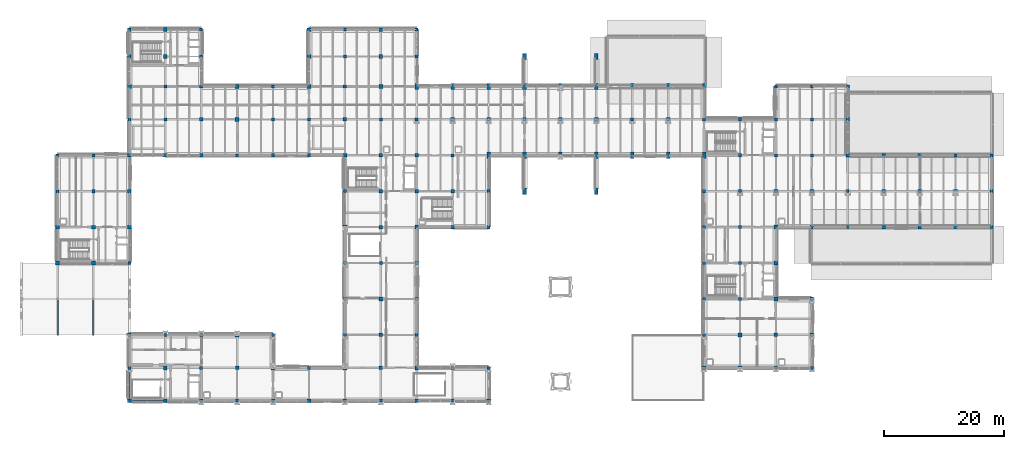
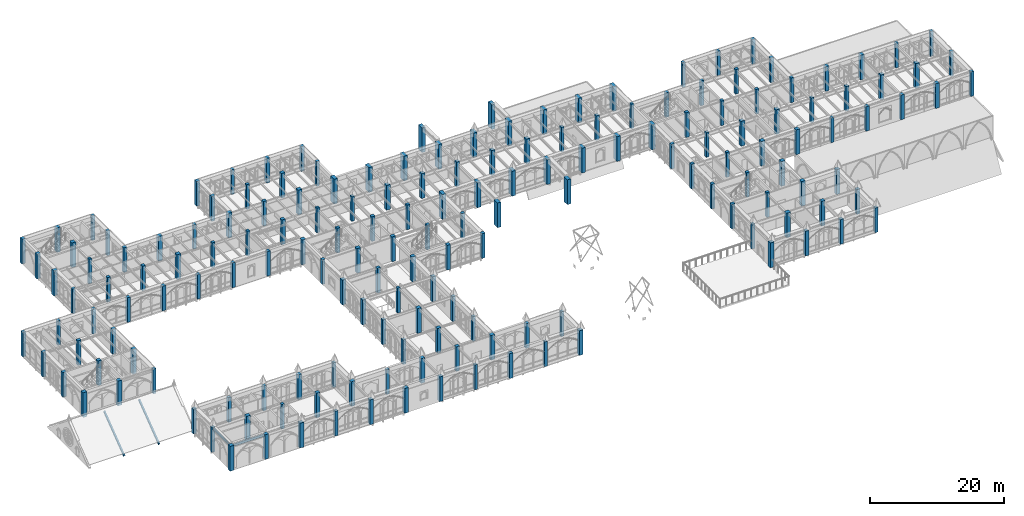
# One storey, part 1 of 143: 174 columns, 2 beams, 2 members.
"""IFC4 building model written with IfcOpenShell, lengths in metres."""

from ifc_helpers import new_model, si_unit, direction, frame, origin, origin_2d, place, context, subcontext, project, spatial, rectangle, i_section, extrude, material, material_profile, profile_set, type_object, element, save


model = new_model("IFC4")

# Units and contexts
model_context = context("Model", 3, precision=1e-05, world=origin(), true_north=direction((0.0, 1.0)))
body_context = subcontext(model_context, "Body", "Model", "MODEL_VIEW")
ifc_project = project(units=[si_unit("LENGTHUNIT", "METRE"), si_unit("AREAUNIT", "SQUARE_METRE"), si_unit("VOLUMEUNIT", "CUBIC_METRE"), si_unit("PLANEANGLEUNIT", "RADIAN"), si_unit("MASSUNIT", "GRAM", prefix="KILO")], contexts=[model_context])

# Site, building, storey
site_placement = place(None, origin())
site = spatial("IfcSite", under=ifc_project, at=site_placement, CompositionType="ELEMENT")
building_placement = place(site_placement, origin())
building = spatial("IfcBuilding", under=site, at=building_placement, Name="Cumevento Cable Car Station", CompositionType="ELEMENT")
storey_placement = place(building_placement, frame((0.0, 0.0, 9.0)))
storey = spatial("IfcBuildingStorey", under=building, at=storey_placement, Name="L03", CompositionType="ELEMENT", Elevation=9.0)

# Columns
ifc_material_1 = material(Name="Concrete C40/50", Category="concrete")
ifc_material_profile_1 = material_profile(ifc_material_1, rectangle(XDim=0.60009765625, YDim=1.050048828125, at=origin_2d()), Name="RC600x1050")
ifc_profile_set_1 = profile_set([ifc_material_profile_1], Name="Concrete C40/50")
column_type_1 = type_object("IfcColumnType", Name="Buttress Pilaster P-BT1050 RC600x1050", PredefinedType="PILASTER", material=ifc_profile_set_1)
for number, where, z_axis, x_axis, name in (
    (1, (70.0, 56.5, 0.0), (0.0, 0.0, 1.0), (1.0, 0.0, 0.0), "Column P-BT1050 L03 (70.0,56.5)"),
    (2, (76.0, 56.5, 0.0), (0.0, 0.0, 1.0), (1.0, 0.0, 0.0), "Column P-BT1050 L03 (76.0,56.5)"),
    (3, (82.0, 45.0, 0.0), (0.0, 0.0, 1.0), (1.0, 0.0, 0.0), "Column P-BT1050 L03 (82.0,45.0)"),
    (4, (82.0, 56.5, 0.0), (0.0, 0.0, 1.0), (1.0, 0.0, 0.0), "Column P-BT1050 L03 (82.0,56.5)"),
    (5, (88.0, 45.0, 0.0), (0.0, 0.0, 1.0), (1.0, 0.0, 0.0), "Column P-BT1050 L03 (88.0,45.0)"),
    (6, (88.0, 56.5, 0.0), (0.0, 0.0, 1.0), (1.0, 0.0, 0.0), "Column P-BT1050 L03 (88.0,56.5)"),
    (7, (94.0, 45.0, 0.0), (0.0, 0.0, 1.0), (1.0, 0.0, 0.0), "Column P-BT1050 L03 (94.0,45.0)"),
    (8, (94.0, 56.5, 0.0), (0.0, 0.0, 1.0), (1.0, 0.0, 0.0), "Column P-BT1050 L03 (94.0,56.5)"),
    (9, (100.0, 45.0, 0.0), (0.0, 0.0, 1.0), (1.0, 0.0, 0.0), "Column P-BT1050 L03 (100.0,45.0)"),
    (10, (100.0, 56.5, 0.0), (0.0, 0.0, 1.0), (1.0, 0.0, 0.0), "Column P-BT1050 L03 (100.0,56.5)"),
    (11, (106.0, 45.0, 0.0), (0.0, 0.0, 1.0), (1.0, 0.0, 0.0), "Column P-BT1050 L03 (106.0,45.0)"),
    (12, (106.0, 56.5, 0.0), (0.0, 0.0, 1.0), (1.0, 0.0, 0.0), "Column P-BT1050 L03 (106.0,56.5)"),
    (13, (112.0, 45.0, 0.0), (0.0, 0.0, 1.0), (1.0, 0.0, 0.0), "Column P-BT1050 L03 (112.0,45.0)"),
    (14, (112.0, 56.5, 0.0), (0.0, 0.0, 1.0), (1.0, 0.0, 0.0), "Column P-BT1050 L03 (112.0,56.5)"),
    (15, (118.0, 45.0, 0.0), (0.0, 0.0, 1.0), (1.0, 0.0, 0.0), "Column P-BT1050 L03 (118.0,45.0)"),
    (16, (118.0, 56.5, 0.0), (0.0, 0.0, 1.0), (1.0, 0.0, 0.0), "Column P-BT1050 L03 (118.0,56.5)"),
    (17, (88.0, 61.5, 0.0), (0.0, 0.0, 1.0), (1.0, 0.0, 0.0), "Portal/Terrace Column P-BT1050 L03 (88.0,61.5)"),
    (18, (100.0, 61.5, 0.0), (0.0, 0.0, 1.0), (1.0, 0.0, 0.0), "Portal/Terrace Column P-BT1050 L03 (100.0,61.5)"),
    (19, (88.0, 39.0, 0.0), (0.0, 0.0, 1.0), (1.0, 0.0, 0.0), "Portal/Terrace Column P-BT1050 L03 (88.0,39.0)"),
    (20, (100.0, 39.0, 0.0), (0.0, 0.0, 1.0), (1.0, 0.0, 0.0), "Portal/Terrace Column P-BT1050 L03 (100.0,39.0)"),
):
    element("IfcColumn", number, at=place(storey_placement, frame(where, z_axis=z_axis, x_axis=x_axis)), inside=storey, type_object=column_type_1, Name=name, PredefinedType="PILASTER", context=body_context, shape_type="SweptSolid", body=[
        extrude(rectangle(XDim=0.60009765625, YDim=1.050048828125, at=origin_2d()), origin(), (0.0, 0.0, 1.0), 4.5),
    ])
ifc_material_2 = material(Name="Concrete C40/50", Category="concrete")
ifc_material_profile_2 = material_profile(ifc_material_2, rectangle(XDim=0.5, YDim=0.5, at=origin_2d()), Name="RC500x500")
ifc_profile_set_2 = profile_set([ifc_material_profile_2], Name="Concrete C40/50")
column_type_2 = type_object("IfcColumnType", Name="Column C-RC500 RC500x500", PredefinedType="COLUMN", material=ifc_profile_set_2)
for number, where, z_axis, x_axis, name in (
    (21, (10.0, 45.0, 0.0), (0.0, 0.0, 1.0), (1.0, 0.0, 0.0), "Column C-RC500 L03 (10.0,45.0)"),
    (22, (16.0, 45.0, 0.0), (0.0, 0.0, 1.0), (1.0, 0.0, 0.0), "Column C-RC500 L03 (16.0,45.0)"),
    (23, (22.0, 9.5, 0.0), (0.0, 0.0, 1.0), (1.0, 0.0, 0.0), "Column C-RC500 L03 (22.0,9.5)"),
    (24, (22.0, 27.0, 0.0), (0.0, 0.0, 1.0), (1.0, 0.0, 0.0), "Column C-RC500 L03 (22.0,27.0)"),
    (25, (22.0, 51.0, 0.0), (0.0, 0.0, 1.0), (1.0, 0.0, 0.0), "Column C-RC500 L03 (22.0,51.0)"),
    (26, (28.0, 15.0, 0.0), (0.0, 0.0, 1.0), (1.0, 0.0, 0.0), "Column C-RC500 L03 (28.0,15.0)"),
    (27, (28.0, 51.0, 0.0), (0.0, 0.0, 1.0), (1.0, 0.0, 0.0), "Column C-RC500 L03 (28.0,51.0)"),
    (28, (28.0, 56.5, 0.0), (0.0, 0.0, 1.0), (1.0, 0.0, 0.0), "Column C-RC500 L03 (28.0,56.5)"),
    (29, (34.0, 9.5, 0.0), (0.0, 0.0, 1.0), (1.0, 0.0, 0.0), "Column C-RC500 L03 (34.0,9.5)"),
    (30, (34.0, 61.5, 0.0), (0.0, 0.0, 1.0), (1.0, 0.0, 0.0), "Column C-RC500 L03 (34.0,61.5)"),
    (31, (34.0, 66.0, 0.0), (0.0, 0.0, 1.0), (1.0, 0.0, 0.0), "Column C-RC500 L03 (34.0,66.0)"),
    (32, (40.0, 4.0, 0.0), (0.0, 0.0, 1.0), (1.0, 0.0, 0.0), "Column C-RC500 L03 (40.0,4.0)"),
    (33, (40.0, 45.0, 0.0), (0.0, 0.0, 1.0), (1.0, 0.0, 0.0), "Column C-RC500 L03 (40.0,45.0)"),
    (34, (46.0, 15.0, 0.0), (0.0, 0.0, 1.0), (1.0, 0.0, 0.0), "Column C-RC500 L03 (46.0,15.0)"),
    (35, (46.0, 51.0, 0.0), (0.0, 0.0, 1.0), (1.0, 0.0, 0.0), "Column C-RC500 L03 (46.0,51.0)"),
    (36, (46.0, 56.5, 0.0), (0.0, 0.0, 1.0), (1.0, 0.0, 0.0), "Column C-RC500 L03 (46.0,56.5)"),
    (37, (52.0, 9.5, 0.0), (0.0, 0.0, 1.0), (1.0, 0.0, 0.0), "Column C-RC500 L03 (52.0,9.5)"),
    (38, (52.0, 51.0, 0.0), (0.0, 0.0, 1.0), (1.0, 0.0, 0.0), "Column C-RC500 L03 (52.0,51.0)"),
    (39, (58.0, 15.0, 0.0), (0.0, 0.0, 1.0), (1.0, 0.0, 0.0), "Column C-RC500 L03 (58.0,15.0)"),
    (40, (58.0, 39.0, 0.0), (0.0, 0.0, 1.0), (1.0, 0.0, 0.0), "Column C-RC500 L03 (58.0,39.0)"),
    (41, (58.0, 61.5, 0.0), (0.0, 0.0, 1.0), (1.0, 0.0, 0.0), "Column C-RC500 L03 (58.0,61.5)"),
    (42, (58.0, 66.0, 0.0), (0.0, 0.0, 1.0), (1.0, 0.0, 0.0), "Column C-RC500 L03 (58.0,66.0)"),
    (43, (64.0, 4.0, 0.0), (0.0, 0.0, 1.0), (1.0, 0.0, 0.0), "Column C-RC500 L03 (64.0,4.0)"),
    (44, (64.0, 27.0, 0.0), (0.0, 0.0, 1.0), (1.0, 0.0, 0.0), "Column C-RC500 L03 (64.0,27.0)"),
    (45, (64.0, 51.0, 0.0), (0.0, 0.0, 1.0), (1.0, 0.0, 0.0), "Column C-RC500 L03 (64.0,51.0)"),
    (46, (70.0, 15.0, 0.0), (0.0, 0.0, 1.0), (1.0, 0.0, 0.0), "Column C-RC500 L03 (70.0,15.0)"),
    (47, (70.0, 51.0, 0.0), (0.0, 0.0, 1.0), (1.0, 0.0, 0.0), "Column C-RC500 L03 (70.0,51.0)"),
    (48, (70.0, 61.5, 0.0), (0.0, 0.0, 1.0), (1.0, 0.0, 0.0), "Column C-RC500 L03 (70.0,61.5)"),
    (49, (70.0, 66.0, 0.0), (0.0, 0.0, 1.0), (1.0, 0.0, 0.0), "Column C-RC500 L03 (70.0,66.0)"),
    (50, (76.0, 4.0, 0.0), (0.0, 0.0, 1.0), (1.0, 0.0, 0.0), "Column C-RC500 L03 (76.0,4.0)"),
    (51, (76.0, 45.0, 0.0), (0.0, 0.0, 1.0), (1.0, 0.0, 0.0), "Column C-RC500 L03 (76.0,45.0)"),
    (52, (82.0, 9.5, 0.0), (0.0, 0.0, 1.0), (1.0, 0.0, 0.0), "Column C-RC500 L03 (82.0,9.5)"),
    (53, (82.0, 39.0, 0.0), (0.0, 0.0, 1.0), (1.0, 0.0, 0.0), "Column C-RC500 L03 (82.0,39.0)"),
    (54, (106.0, 51.0, 0.0), (0.0, 0.0, 1.0), (1.0, 0.0, 0.0), "Column C-RC500 L03 (106.0,51.0)"),
    (55, (118.0, 15.0, 0.0), (0.0, 0.0, 1.0), (1.0, 0.0, 0.0), "Column C-RC500 L03 (118.0,15.0)"),
    (56, (118.0, 51.0, 0.0), (0.0, 0.0, 1.0), (1.0, 0.0, 0.0), "Column C-RC500 L03 (118.0,51.0)"),
    (57, (124.0, 21.0, 0.0), (0.0, 0.0, 1.0), (1.0, 0.0, 0.0), "Column C-RC500 L03 (124.0,21.0)"),
    (58, (124.0, 27.0, 0.0), (0.0, 0.0, 1.0), (1.0, 0.0, 0.0), "Column C-RC500 L03 (124.0,27.0)"),
    (59, (124.0, 33.0, 0.0), (0.0, 0.0, 1.0), (1.0, 0.0, 0.0), "Column C-RC500 L03 (124.0,33.0)"),
    (60, (124.0, 39.0, 0.0), (0.0, 0.0, 1.0), (1.0, 0.0, 0.0), "Column C-RC500 L03 (124.0,39.0)"),
    (61, (130.0, 45.0, 0.0), (0.0, 0.0, 1.0), (1.0, 0.0, 0.0), "Column C-RC500 L03 (130.0,45.0)"),
    (62, (130.0, 51.0, 0.0), (0.0, 0.0, 1.0), (1.0, 0.0, 0.0), "Column C-RC500 L03 (130.0,51.0)"),
    (63, (130.0, 56.5, 0.0), (0.0, 0.0, 1.0), (1.0, 0.0, 0.0), "Column C-RC500 L03 (130.0,56.5)"),
    (64, (136.0, 9.5, 0.0), (0.0, 0.0, 1.0), (1.0, 0.0, 0.0), "Column C-RC500 L03 (136.0,9.5)"),
    (65, (136.0, 45.0, 0.0), (0.0, 0.0, 1.0), (1.0, 0.0, 0.0), "Column C-RC500 L03 (136.0,45.0)"),
    (66, (136.0, 51.0, 0.0), (0.0, 0.0, 1.0), (1.0, 0.0, 0.0), "Column C-RC500 L03 (136.0,51.0)"),
    (67, (136.0, 56.5, 0.0), (0.0, 0.0, 1.0), (1.0, 0.0, 0.0), "Column C-RC500 L03 (136.0,56.5)"),
    (68, (142.0, 33.0, 0.0), (0.0, 0.0, 1.0), (1.0, 0.0, 0.0), "Column C-RC500 L03 (142.0,33.0)"),
    (69, (142.0, 39.0, 0.0), (0.0, 0.0, 1.0), (1.0, 0.0, 0.0), "Column C-RC500 L03 (142.0,39.0)"),
    (70, (160.0, 45.0, 0.0), (0.0, 0.0, 1.0), (1.0, 0.0, 0.0), "Column C-RC500 L03 (160.0,45.0)"),
    (71, (166.0, 33.0, 0.0), (0.0, 0.0, 1.0), (1.0, 0.0, 0.0), "Column C-RC500 L03 (166.0,33.0)"),
    (72, (166.0, 39.0, 0.0), (0.0, 0.0, 1.0), (1.0, 0.0, 0.0), "Column C-RC500 L03 (166.0,39.0)"),
    (73, (166.0, 45.0, 0.0), (0.0, 0.0, 1.0), (1.0, 0.0, 0.0), "Column C-RC500 L03 (166.0,45.0)"),
):
    element("IfcColumn", number, at=place(storey_placement, frame(where, z_axis=z_axis, x_axis=x_axis)), inside=storey, type_object=column_type_2, Name=name, PredefinedType="COLUMN", context=body_context, shape_type="SweptSolid", body=[
        extrude(rectangle(XDim=0.5, YDim=0.5, at=origin_2d()), origin(), (0.0, 0.0, 1.0), 4.5),
    ])
ifc_material_3 = material(Name="Concrete C40/50", Category="concrete")
ifc_material_profile_3 = material_profile(ifc_material_3, rectangle(XDim=0.550048828125, YDim=0.550048828125, at=origin_2d()), Name="RC550x550")
ifc_profile_set_3 = profile_set([ifc_material_profile_3], Name="Concrete C40/50")
column_type_3 = type_object("IfcColumnType", Name="Column C-RC550 RC550x550", PredefinedType="COLUMN", material=ifc_profile_set_3)
for number, where, z_axis, x_axis, name in (
    (74, (10.0, 39.0, 0.0), (0.0, 0.0, 1.0), (1.0, 0.0, 0.0), "Column C-RC550 L03 (10.0,39.0)"),
    (75, (16.0, 39.0, 0.0), (0.0, 0.0, 1.0), (1.0, 0.0, 0.0), "Column C-RC550 L03 (16.0,39.0)"),
    (76, (22.0, 15.0, 0.0), (0.0, 0.0, 1.0), (1.0, 0.0, 0.0), "Column C-RC550 L03 (22.0,15.0)"),
    (77, (22.0, 45.0, 0.0), (0.0, 0.0, 1.0), (1.0, 0.0, 0.0), "Column C-RC550 L03 (22.0,45.0)"),
    (78, (28.0, 45.0, 0.0), (0.0, 0.0, 1.0), (1.0, 0.0, 0.0), "Column C-RC550 L03 (28.0,45.0)"),
    (79, (34.0, 15.0, 0.0), (0.0, 0.0, 1.0), (1.0, 0.0, 0.0), "Column C-RC550 L03 (34.0,15.0)"),
    (80, (34.0, 51.0, 0.0), (0.0, 0.0, 1.0), (1.0, 0.0, 0.0), "Column C-RC550 L03 (34.0,51.0)"),
    (81, (34.0, 56.5, 0.0), (0.0, 0.0, 1.0), (1.0, 0.0, 0.0), "Column C-RC550 L03 (34.0,56.5)"),
    (82, (46.0, 45.0, 0.0), (0.0, 0.0, 1.0), (1.0, 0.0, 0.0), "Column C-RC550 L03 (46.0,45.0)"),
    (83, (52.0, 45.0, 0.0), (0.0, 0.0, 1.0), (1.0, 0.0, 0.0), "Column C-RC550 L03 (52.0,45.0)"),
    (84, (58.0, 21.0, 0.0), (0.0, 0.0, 1.0), (1.0, 0.0, 0.0), "Column C-RC550 L03 (58.0,21.0)"),
    (85, (58.0, 56.5, 0.0), (0.0, 0.0, 1.0), (1.0, 0.0, 0.0), "Column C-RC550 L03 (58.0,56.5)"),
    (86, (64.0, 9.5, 0.0), (0.0, 0.0, 1.0), (1.0, 0.0, 0.0), "Column C-RC550 L03 (64.0,9.5)"),
    (87, (64.0, 33.0, 0.0), (0.0, 0.0, 1.0), (1.0, 0.0, 0.0), "Column C-RC550 L03 (64.0,33.0)"),
    (88, (64.0, 45.0, 0.0), (0.0, 0.0, 1.0), (1.0, 0.0, 0.0), "Column C-RC550 L03 (64.0,45.0)"),
    (89, (70.0, 21.0, 0.0), (0.0, 0.0, 1.0), (1.0, 0.0, 0.0), "Column C-RC550 L03 (70.0,21.0)"),
    (90, (70.0, 45.0, 0.0), (0.0, 0.0, 1.0), (1.0, 0.0, 0.0), "Column C-RC550 L03 (70.0,45.0)"),
    (91, (76.0, 9.5, 0.0), (0.0, 0.0, 1.0), (1.0, 0.0, 0.0), "Column C-RC550 L03 (76.0,9.5)"),
    (92, (76.0, 39.0, 0.0), (0.0, 0.0, 1.0), (1.0, 0.0, 0.0), "Column C-RC550 L03 (76.0,39.0)"),
    (93, (82.0, 33.0, 0.0), (0.0, 0.0, 1.0), (1.0, 0.0, 0.0), "Column C-RC550 L03 (82.0,33.0)"),
    (94, (88.0, 51.0, 0.0), (0.0, 0.0, 1.0), (1.0, 0.0, 0.0), "Column C-RC550 L03 (88.0,51.0)"),
    (95, (112.0, 51.0, 0.0), (0.0, 0.0, 1.0), (1.0, 0.0, 0.0), "Column C-RC550 L03 (112.0,51.0)"),
    (96, (118.0, 21.0, 0.0), (0.0, 0.0, 1.0), (1.0, 0.0, 0.0), "Column C-RC550 L03 (118.0,21.0)"),
    (97, (118.0, 27.0, 0.0), (0.0, 0.0, 1.0), (1.0, 0.0, 0.0), "Column C-RC550 L03 (118.0,27.0)"),
    (98, (118.0, 33.0, 0.0), (0.0, 0.0, 1.0), (1.0, 0.0, 0.0), "Column C-RC550 L03 (118.0,33.0)"),
    (99, (118.0, 39.0, 0.0), (0.0, 0.0, 1.0), (1.0, 0.0, 0.0), "Column C-RC550 L03 (118.0,39.0)"),
    (100, (124.0, 45.0, 0.0), (0.0, 0.0, 1.0), (1.0, 0.0, 0.0), "Column C-RC550 L03 (124.0,45.0)"),
    (101, (124.0, 51.0, 0.0), (0.0, 0.0, 1.0), (1.0, 0.0, 0.0), "Column C-RC550 L03 (124.0,51.0)"),
    (102, (130.0, 9.5, 0.0), (0.0, 0.0, 1.0), (1.0, 0.0, 0.0), "Column C-RC550 L03 (130.0,9.5)"),
    (103, (136.0, 15.0, 0.0), (0.0, 0.0, 1.0), (1.0, 0.0, 0.0), "Column C-RC550 L03 (136.0,15.0)"),
    (104, (142.0, 45.0, 0.0), (0.0, 0.0, 1.0), (1.0, 0.0, 0.0), "Column C-RC550 L03 (142.0,45.0)"),
    (105, (142.0, 51.0, 0.0), (0.0, 0.0, 1.0), (1.0, 0.0, 0.0), "Column C-RC550 L03 (142.0,51.0)"),
    (106, (142.0, 56.5, 0.0), (0.0, 0.0, 1.0), (1.0, 0.0, 0.0), "Column C-RC550 L03 (142.0,56.5)"),
    (107, (148.0, 33.0, 0.0), (0.0, 0.0, 1.0), (1.0, 0.0, 0.0), "Column C-RC550 L03 (148.0,33.0)"),
    (108, (148.0, 39.0, 0.0), (0.0, 0.0, 1.0), (1.0, 0.0, 0.0), "Column C-RC550 L03 (148.0,39.0)"),
):
    element("IfcColumn", number, at=place(storey_placement, frame(where, z_axis=z_axis, x_axis=x_axis)), inside=storey, type_object=column_type_3, Name=name, PredefinedType="COLUMN", context=body_context, shape_type="SweptSolid", body=[
        extrude(rectangle(XDim=0.550048828125, YDim=0.550048828125, at=origin_2d()), origin(), (0.0, 0.0, 1.0), 4.5),
    ])
ifc_material_4 = material(Name="Concrete C40/50", Category="concrete")
ifc_material_profile_4 = material_profile(ifc_material_4, rectangle(XDim=0.60009765625, YDim=0.60009765625, at=origin_2d()), Name="RC600x600")
ifc_profile_set_4 = profile_set([ifc_material_profile_4], Name="Concrete C40/50")
column_type_4 = type_object("IfcColumnType", Name="Column C-RC600 RC600x600", PredefinedType="COLUMN", material=ifc_profile_set_4)
for number, where, z_axis, x_axis, name in (
    (109, (10.0, 33.0, 0.0), (0.0, 0.0, 1.0), (1.0, 0.0, 0.0), "Column C-RC600 L03 (10.0,33.0)"),
    (110, (16.0, 33.0, 0.0), (0.0, 0.0, 1.0), (1.0, 0.0, 0.0), "Column C-RC600 L03 (16.0,33.0)"),
    (111, (22.0, 39.0, 0.0), (0.0, 0.0, 1.0), (1.0, 0.0, 0.0), "Column C-RC600 L03 (22.0,39.0)"),
    (112, (22.0, 61.5, 0.0), (0.0, 0.0, 1.0), (1.0, 0.0, 0.0), "Column C-RC600 L03 (22.0,61.5)"),
    (113, (22.0, 66.0, 0.0), (0.0, 0.0, 1.0), (1.0, 0.0, 0.0), "Column C-RC600 L03 (22.0,66.0)"),
    (114, (28.0, 4.0, 0.0), (0.0, 0.0, 1.0), (1.0, 0.0, 0.0), "Column C-RC600 L03 (28.0,4.0)"),
    (115, (34.0, 45.0, 0.0), (0.0, 0.0, 1.0), (1.0, 0.0, 0.0), "Column C-RC600 L03 (34.0,45.0)"),
    (116, (40.0, 9.5, 0.0), (0.0, 0.0, 1.0), (1.0, 0.0, 0.0), "Column C-RC600 L03 (40.0,9.5)"),
    (117, (46.0, 4.0, 0.0), (0.0, 0.0, 1.0), (1.0, 0.0, 0.0), "Column C-RC600 L03 (46.0,4.0)"),
    (118, (52.0, 61.5, 0.0), (0.0, 0.0, 1.0), (1.0, 0.0, 0.0), "Column C-RC600 L03 (52.0,61.5)"),
    (119, (52.0, 66.0, 0.0), (0.0, 0.0, 1.0), (1.0, 0.0, 0.0), "Column C-RC600 L03 (52.0,66.0)"),
    (120, (58.0, 4.0, 0.0), (0.0, 0.0, 1.0), (1.0, 0.0, 0.0), "Column C-RC600 L03 (58.0,4.0)"),
    (121, (58.0, 27.0, 0.0), (0.0, 0.0, 1.0), (1.0, 0.0, 0.0), "Column C-RC600 L03 (58.0,27.0)"),
    (122, (58.0, 51.0, 0.0), (0.0, 0.0, 1.0), (1.0, 0.0, 0.0), "Column C-RC600 L03 (58.0,51.0)"),
    (123, (64.0, 15.0, 0.0), (0.0, 0.0, 1.0), (1.0, 0.0, 0.0), "Column C-RC600 L03 (64.0,15.0)"),
    (124, (64.0, 39.0, 0.0), (0.0, 0.0, 1.0), (1.0, 0.0, 0.0), "Column C-RC600 L03 (64.0,39.0)"),
    (125, (64.0, 61.5, 0.0), (0.0, 0.0, 1.0), (1.0, 0.0, 0.0), "Column C-RC600 L03 (64.0,61.5)"),
    (126, (64.0, 66.0, 0.0), (0.0, 0.0, 1.0), (1.0, 0.0, 0.0), "Column C-RC600 L03 (64.0,66.0)"),
    (127, (70.0, 4.0, 0.0), (0.0, 0.0, 1.0), (1.0, 0.0, 0.0), "Column C-RC600 L03 (70.0,4.0)"),
    (128, (70.0, 27.0, 0.0), (0.0, 0.0, 1.0), (1.0, 0.0, 0.0), "Column C-RC600 L03 (70.0,27.0)"),
    (129, (70.0, 39.0, 0.0), (0.0, 0.0, 1.0), (1.0, 0.0, 0.0), "Column C-RC600 L03 (70.0,39.0)"),
    (130, (76.0, 33.0, 0.0), (0.0, 0.0, 1.0), (1.0, 0.0, 0.0), "Column C-RC600 L03 (76.0,33.0)"),
    (131, (82.0, 51.0, 0.0), (0.0, 0.0, 1.0), (1.0, 0.0, 0.0), "Column C-RC600 L03 (82.0,51.0)"),
    (132, (94.0, 51.0, 0.0), (0.0, 0.0, 1.0), (1.0, 0.0, 0.0), "Column C-RC600 L03 (94.0,51.0)"),
    (133, (124.0, 9.5, 0.0), (0.0, 0.0, 1.0), (1.0, 0.0, 0.0), "Column C-RC600 L03 (124.0,9.5)"),
    (134, (130.0, 15.0, 0.0), (0.0, 0.0, 1.0), (1.0, 0.0, 0.0), "Column C-RC600 L03 (130.0,15.0)"),
    (135, (136.0, 21.0, 0.0), (0.0, 0.0, 1.0), (1.0, 0.0, 0.0), "Column C-RC600 L03 (136.0,21.0)"),
    (136, (148.0, 45.0, 0.0), (0.0, 0.0, 1.0), (1.0, 0.0, 0.0), "Column C-RC600 L03 (148.0,45.0)"),
    (137, (154.0, 33.0, 0.0), (0.0, 0.0, 1.0), (1.0, 0.0, 0.0), "Column C-RC600 L03 (154.0,33.0)"),
    (138, (154.0, 39.0, 0.0), (0.0, 0.0, 1.0), (1.0, 0.0, 0.0), "Column C-RC600 L03 (154.0,39.0)"),
):
    element("IfcColumn", number, at=place(storey_placement, frame(where, z_axis=z_axis, x_axis=x_axis)), inside=storey, type_object=column_type_4, Name=name, PredefinedType="COLUMN", context=body_context, shape_type="SweptSolid", body=[
        extrude(rectangle(XDim=0.60009765625, YDim=0.60009765625, at=origin_2d()), origin(), (0.0, 0.0, 1.0), 4.5),
    ])
ifc_material_5 = material(Name="Concrete C40/50", Category="concrete")
ifc_material_profile_5 = material_profile(ifc_material_5, rectangle(XDim=0.64990234375, YDim=0.64990234375, at=origin_2d()), Name="RC650x650")
ifc_profile_set_5 = profile_set([ifc_material_profile_5], Name="Concrete C40/50")
column_type_5 = type_object("IfcColumnType", Name="Column C-RC650 RC650x650", PredefinedType="COLUMN", material=ifc_profile_set_5)
for number, where, z_axis, x_axis, name in (
    (139, (10.0, 27.0, 0.0), (0.0, 0.0, 1.0), (1.0, 0.0, 0.0), "Column C-RC650 L03 (10.0,27.0)"),
    (140, (16.0, 27.0, 0.0), (0.0, 0.0, 1.0), (1.0, 0.0, 0.0), "Column C-RC650 L03 (16.0,27.0)"),
    (141, (22.0, 4.0, 0.0), (0.0, 0.0, 1.0), (1.0, 0.0, 0.0), "Column C-RC650 L03 (22.0,4.0)"),
    (142, (22.0, 33.0, 0.0), (0.0, 0.0, 1.0), (1.0, 0.0, 0.0), "Column C-RC650 L03 (22.0,33.0)"),
    (143, (22.0, 56.5, 0.0), (0.0, 0.0, 1.0), (1.0, 0.0, 0.0), "Column C-RC650 L03 (22.0,56.5)"),
    (144, (28.0, 9.5, 0.0), (0.0, 0.0, 1.0), (1.0, 0.0, 0.0), "Column C-RC650 L03 (28.0,9.5)"),
    (145, (28.0, 61.5, 0.0), (0.0, 0.0, 1.0), (1.0, 0.0, 0.0), "Column C-RC650 L03 (28.0,61.5)"),
    (146, (28.0, 66.0, 0.0), (0.0, 0.0, 1.0), (1.0, 0.0, 0.0), "Column C-RC650 L03 (28.0,66.0)"),
    (147, (34.0, 4.0, 0.0), (0.0, 0.0, 1.0), (1.0, 0.0, 0.0), "Column C-RC650 L03 (34.0,4.0)"),
    (148, (40.0, 15.0, 0.0), (0.0, 0.0, 1.0), (1.0, 0.0, 0.0), "Column C-RC650 L03 (40.0,15.0)"),
    (149, (40.0, 51.0, 0.0), (0.0, 0.0, 1.0), (1.0, 0.0, 0.0), "Column C-RC650 L03 (40.0,51.0)"),
    (150, (40.0, 56.5, 0.0), (0.0, 0.0, 1.0), (1.0, 0.0, 0.0), "Column C-RC650 L03 (40.0,56.5)"),
    (151, (46.0, 9.5, 0.0), (0.0, 0.0, 1.0), (1.0, 0.0, 0.0), "Column C-RC650 L03 (46.0,9.5)"),
    (152, (52.0, 4.0, 0.0), (0.0, 0.0, 1.0), (1.0, 0.0, 0.0), "Column C-RC650 L03 (52.0,4.0)"),
    (153, (52.0, 56.5, 0.0), (0.0, 0.0, 1.0), (1.0, 0.0, 0.0), "Column C-RC650 L03 (52.0,56.5)"),
    (154, (58.0, 9.5, 0.0), (0.0, 0.0, 1.0), (1.0, 0.0, 0.0), "Column C-RC650 L03 (58.0,9.5)"),
    (155, (58.0, 33.0, 0.0), (0.0, 0.0, 1.0), (1.0, 0.0, 0.0), "Column C-RC650 L03 (58.0,33.0)"),
    (156, (58.0, 45.0, 0.0), (0.0, 0.0, 1.0), (1.0, 0.0, 0.0), "Column C-RC650 L03 (58.0,45.0)"),
    (157, (64.0, 21.0, 0.0), (0.0, 0.0, 1.0), (1.0, 0.0, 0.0), "Column C-RC650 L03 (64.0,21.0)"),
    (158, (64.0, 56.5, 0.0), (0.0, 0.0, 1.0), (1.0, 0.0, 0.0), "Column C-RC650 L03 (64.0,56.5)"),
    (159, (70.0, 9.5, 0.0), (0.0, 0.0, 1.0), (1.0, 0.0, 0.0), "Column C-RC650 L03 (70.0,9.5)"),
    (160, (70.0, 33.0, 0.0), (0.0, 0.0, 1.0), (1.0, 0.0, 0.0), "Column C-RC650 L03 (70.0,33.0)"),
    (161, (76.0, 51.0, 0.0), (0.0, 0.0, 1.0), (1.0, 0.0, 0.0), "Column C-RC650 L03 (76.0,51.0)"),
    (162, (82.0, 4.0, 0.0), (0.0, 0.0, 1.0), (1.0, 0.0, 0.0), "Column C-RC650 L03 (82.0,4.0)"),
    (163, (100.0, 51.0, 0.0), (0.0, 0.0, 1.0), (1.0, 0.0, 0.0), "Column C-RC650 L03 (100.0,51.0)"),
    (164, (118.0, 9.5, 0.0), (0.0, 0.0, 1.0), (1.0, 0.0, 0.0), "Column C-RC650 L03 (118.0,9.5)"),
    (165, (124.0, 15.0, 0.0), (0.0, 0.0, 1.0), (1.0, 0.0, 0.0), "Column C-RC650 L03 (124.0,15.0)"),
    (166, (130.0, 21.0, 0.0), (0.0, 0.0, 1.0), (1.0, 0.0, 0.0), "Column C-RC650 L03 (130.0,21.0)"),
    (167, (130.0, 27.0, 0.0), (0.0, 0.0, 1.0), (1.0, 0.0, 0.0), "Column C-RC650 L03 (130.0,27.0)"),
    (168, (130.0, 33.0, 0.0), (0.0, 0.0, 1.0), (1.0, 0.0, 0.0), "Column C-RC650 L03 (130.0,33.0)"),
    (169, (130.0, 39.0, 0.0), (0.0, 0.0, 1.0), (1.0, 0.0, 0.0), "Column C-RC650 L03 (130.0,39.0)"),
    (170, (136.0, 33.0, 0.0), (0.0, 0.0, 1.0), (1.0, 0.0, 0.0), "Column C-RC650 L03 (136.0,33.0)"),
    (171, (136.0, 39.0, 0.0), (0.0, 0.0, 1.0), (1.0, 0.0, 0.0), "Column C-RC650 L03 (136.0,39.0)"),
    (172, (154.0, 45.0, 0.0), (0.0, 0.0, 1.0), (1.0, 0.0, 0.0), "Column C-RC650 L03 (154.0,45.0)"),
    (173, (160.0, 33.0, 0.0), (0.0, 0.0, 1.0), (1.0, 0.0, 0.0), "Column C-RC650 L03 (160.0,33.0)"),
    (174, (160.0, 39.0, 0.0), (0.0, 0.0, 1.0), (1.0, 0.0, 0.0), "Column C-RC650 L03 (160.0,39.0)"),
):
    element("IfcColumn", number, at=place(storey_placement, frame(where, z_axis=z_axis, x_axis=x_axis)), inside=storey, type_object=column_type_5, Name=name, PredefinedType="COLUMN", context=body_context, shape_type="SweptSolid", body=[
        extrude(rectangle(XDim=0.64990234375, YDim=0.64990234375, at=origin_2d()), origin(), (0.0, 0.0, 1.0), 4.5),
    ])

# Members
ifc_material_6 = material(Name="Steel ASTM A572 Grade 50", Category="steel")
ifc_material_profile_6 = material_profile(ifc_material_6, i_section(OverallWidth=0.25390625, OverallDepth=0.305908203125, WebThickness=0.0087890625, FlangeThickness=0.0146484375, at=origin_2d()), Name="W310x79.0")
ifc_profile_set_6 = profile_set([ifc_material_profile_6], Name="Steel ASTM A572 Grade 50")
member_type = type_object("IfcMemberType", Name="Framing Chord TC-03 W310x79.0", PredefinedType="CHORD", material=ifc_profile_set_6)
for number, where, z_axis, x_axis, name in (
    (175, (10.0, 15.0, 0.0), (0.0, 0.796798384939, 0.604245259607), (-1.0, 0.0, 0.0), "Wing B_V6a Rafter #724"),
    (176, (16.0, 15.0, 0.0), (0.0, 0.796798384939, 0.604245259607), (-1.0, 0.0, 0.0), "Wing B_V6a Rafter #727"),
):
    element("IfcMember", number, at=place(storey_placement, frame(where, z_axis=z_axis, x_axis=x_axis)), inside=storey, type_object=member_type, Name=name, PredefinedType="CHORD", context=body_context, shape_type="SweptSolid", body=[
        extrude(i_section(OverallWidth=0.25390625, OverallDepth=0.305908203125, WebThickness=0.0087890625, FlangeThickness=0.0146484375, at=origin_2d()), origin(), (0.0, 0.0, 1.0), 7.530029296875),
    ])

# Beams
ifc_material_7 = material(Name="Steel ASTM A572 Grade 50", Category="steel")
ifc_material_profile_7 = material_profile(ifc_material_7, i_section(OverallWidth=0.177978515625, OverallDepth=0.406982421875, WebThickness=0.0078125, FlangeThickness=0.0126953125, at=origin_2d()), Name="W410x60.0")
ifc_profile_set_7 = profile_set([ifc_material_profile_7], Name="Steel ASTM A572 Grade 50")
beam_type = type_object("IfcBeamType", Name="Structural Spandrel SP-01 W410x60.0", PredefinedType="SPANDREL", material=ifc_profile_set_7)
beam_1_placement = place(storey_placement, frame((22.324951171875, 4.0, 4.29638671875), z_axis=(1.0, 0.0, 0.0), x_axis=(0.0, 1.0, 0.0)))
element("IfcBeam", 177, at=beam_1_placement, inside=storey, type_object=beam_type, Name="Beam SP-01 L03 #924", PredefinedType="SPANDREL", context=body_context, shape_type="SweptSolid", body=[
    extrude(i_section(OverallWidth=0.177978515625, OverallDepth=0.406982421875, WebThickness=0.0078125, FlangeThickness=0.0126953125, at=origin_2d()), origin(), (0.0, 0.0, 1.0), 5.375),
])
beam_2_placement = place(storey_placement, frame((22.0, 4.324951171875, 4.29638671875), z_axis=(0.0, 1.0, 0.0), x_axis=(-1.0, 0.0, 0.0)))
element("IfcBeam", 178, at=beam_2_placement, inside=storey, type_object=beam_type, Name="Beam SP-01 L03 #936", PredefinedType="SPANDREL", context=body_context, shape_type="SweptSolid", body=[
    extrude(i_section(OverallWidth=0.177978515625, OverallDepth=0.406982421875, WebThickness=0.0078125, FlangeThickness=0.0126953125, at=origin_2d()), origin(), (0.0, 0.0, 1.0), 4.925048828125),
])

save(model, "model.ifc")
